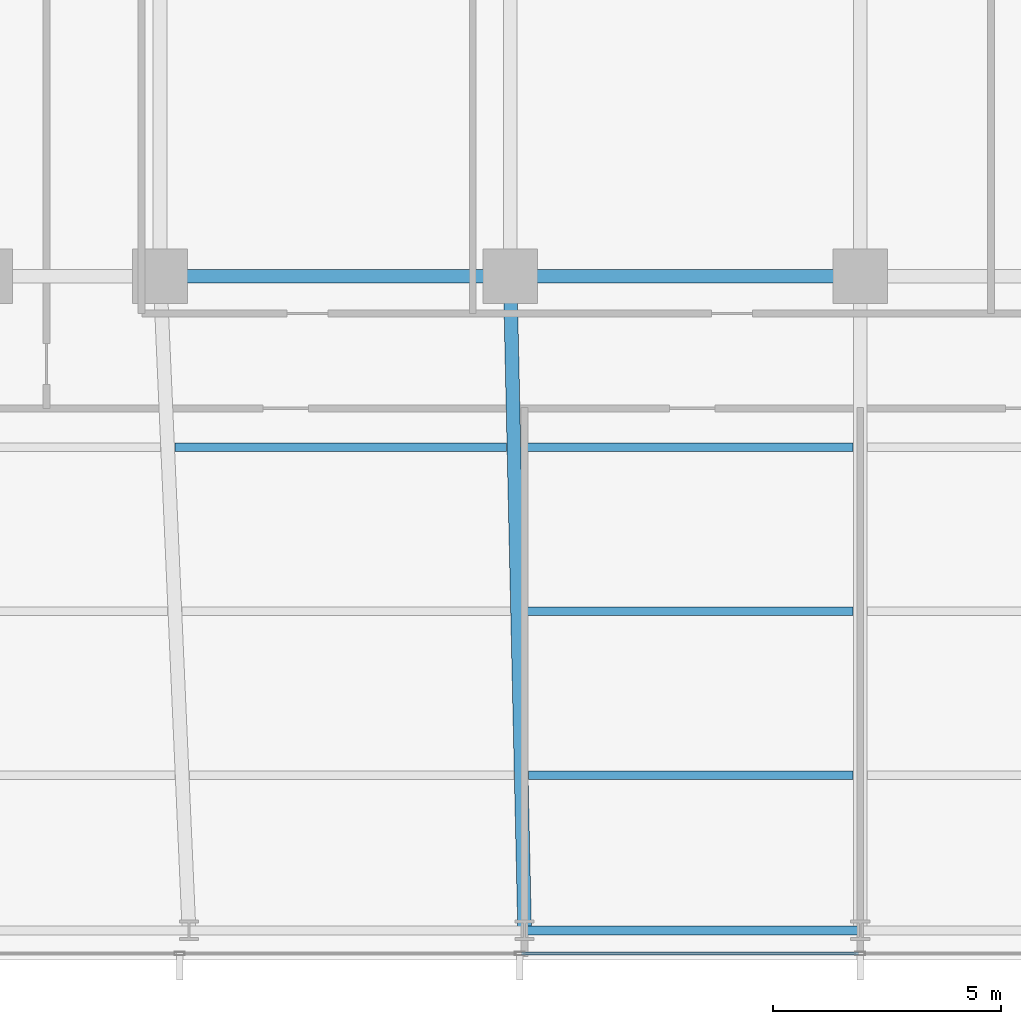
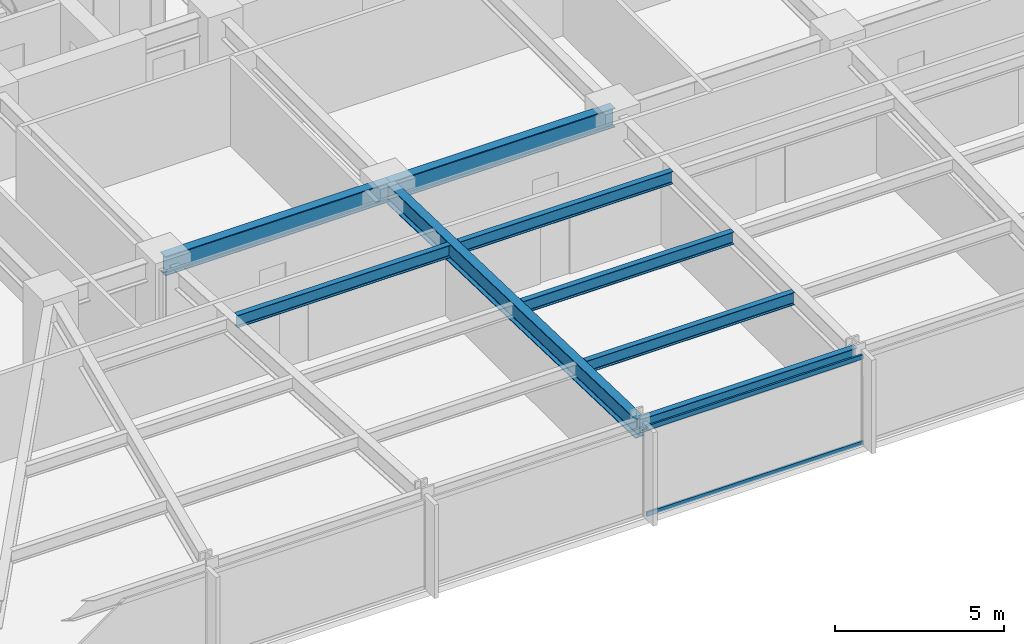
# One storey, part 6 of 32: 8 beams, 2 members, 1 element without a shape of its own.
"""IFC4 building model written with IfcOpenShell, lengths in metres."""

from ifc_helpers import new_model, si_unit, direction, frame, origin, origin_2d, place, context, subcontext, project, spatial, hollow_rectangle, i_section, extrude, material, material_profile, profile_set, type_object, element, aggregate, save


model = new_model("IFC4")

# Units and contexts
model_context = context("Model", 3, precision=1e-05, world=origin(), true_north=direction((0.0, 1.0)))
body_context = subcontext(model_context, "Body", "Model", "MODEL_VIEW")
ifc_project = project(units=[si_unit("LENGTHUNIT", "METRE"), si_unit("AREAUNIT", "SQUARE_METRE"), si_unit("VOLUMEUNIT", "CUBIC_METRE"), si_unit("PLANEANGLEUNIT", "RADIAN"), si_unit("MASSUNIT", "GRAM", prefix="KILO")], contexts=[model_context])

# Site, building, storey
site_placement = place(None, origin())
site = spatial("IfcSite", under=ifc_project, at=site_placement, CompositionType="ELEMENT")
building_placement = place(site_placement, origin())
building = spatial("IfcBuilding", under=site, at=building_placement, Name="Yelkora Congress Tower", CompositionType="ELEMENT")
storey_placement = place(building_placement, frame((0.0, 0.0, 50.800048828125)))
storey = spatial("IfcBuildingStorey", under=building, at=storey_placement, Name="L12", CompositionType="ELEMENT", Elevation=50.800048828125)

# Beams
ifc_material_1 = material(Name="Steel S355J2", Category="steel")
ifc_material_profile_1 = material_profile(ifc_material_1, i_section(OverallWidth=0.300048828125, OverallDepth=0.699951171875, WebThickness=0.01708984375, FlangeThickness=0.031982421875, FilletRadius=0.027099609375, at=origin_2d()), Name="HEB 700")
ifc_profile_set_1 = profile_set([ifc_material_profile_1], Name="Steel S355J2")
beam_type_1 = type_object("IfcBeamType", Name="BM-GIRD-HEB700", PredefinedType="BEAM", material=ifc_profile_set_1)
for number, where, z_axis, x_axis, name in (
    (1, (23.0400390625, 25.199951171875, 2.829833984375), (1.0, 0.0, 0.0), (0.0, 1.0, 0.0), "L12 Spine Grid D Girder 2"),
    (2, (30.719970703125, 25.199951171875, 2.829833984375), (1.0, 0.0, 0.0), (0.0, 1.0, 0.0), "L12 Spine Grid D Girder 3"),
):
    element("IfcBeam", number, at=place(storey_placement, frame(where, z_axis=z_axis, x_axis=x_axis)), inside=storey, type_object=beam_type_1, Name=name, PredefinedType="BEAM", context=body_context, shape_type="SweptSolid", body=[
        extrude(i_section(OverallWidth=0.300048828125, OverallDepth=0.699951171875, WebThickness=0.01708984375, FlangeThickness=0.031982421875, FilletRadius=0.027099609375, at=origin_2d()), origin(), (0.0, 0.0, 1.0), 7.679931640625),
    ])
beam_1_placement = place(storey_placement, frame((31.03759765625, 10.85009765625, 2.829833984375), z_axis=(-0.022129088136, 0.999755121746, 0.0), x_axis=(-0.999755121746, -0.022129088136, 0.0)))
element("IfcBeam", 3, at=beam_1_placement, inside=storey, type_object=beam_type_1, Name="L12 Primary Frame Girder S04", PredefinedType="BEAM", context=body_context, shape_type="SweptSolid", body=[
    extrude(i_section(OverallWidth=0.300048828125, OverallDepth=0.699951171875, WebThickness=0.01708984375, FlangeThickness=0.031982421875, FilletRadius=0.027099609375, at=origin_2d()), origin(), (0.0, 0.0, 1.0), 14.353271484375),
])
ifc_material_profile_2 = material_profile(ifc_material_1, i_section(OverallWidth=0.18994140625, OverallDepth=0.449951171875, WebThickness=0.009521484375, FlangeThickness=0.0146484375, FilletRadius=0.02099609375, at=origin_2d()), Name="IPE 450")
ifc_profile_set_2 = profile_set([ifc_material_profile_2], Name="Steel S355J2")
beam_type_2 = type_object("IfcBeamType", Name="BM-JOIST-IPE450", PredefinedType="JOIST", material=ifc_profile_set_2)
beam_2_placement = place(storey_placement, frame((31.122314453125, 14.25, 2.954833984375), z_axis=(1.0, 0.0, 0.0), x_axis=(0.0, 1.0, 0.0)))
element("IfcBeam", 4, at=beam_2_placement, inside=storey, type_object=beam_type_2, Name="L12 Composite Floor Joist 4", PredefinedType="JOIST", context=body_context, shape_type="SweptSolid", body=[
    extrude(i_section(OverallWidth=0.18994140625, OverallDepth=0.449951171875, WebThickness=0.009521484375, FlangeThickness=0.0146484375, FilletRadius=0.02099609375, at=origin_2d()), origin(), (0.0, 0.0, 1.0), 7.11767578125),
])
beam_3_placement = place(storey_placement, frame((31.04248046875, 17.85009765625, 2.954833984375), z_axis=(1.0, 0.0, 0.0), x_axis=(0.0, 1.0, 0.0)))
element("IfcBeam", 5, at=beam_3_placement, inside=storey, type_object=beam_type_2, Name="L12 Composite Floor Joist 12", PredefinedType="JOIST", context=body_context, shape_type="SweptSolid", body=[
    extrude(i_section(OverallWidth=0.18994140625, OverallDepth=0.449951171875, WebThickness=0.009521484375, FlangeThickness=0.0146484375, FilletRadius=0.02099609375, at=origin_2d()), origin(), (0.0, 0.0, 1.0), 7.197509765625),
])
for number, where, z_axis, x_axis, name in (
    (6, (23.365966796875, 21.449951171875, 2.954833984375), (1.0, 0.0, 0.0), (0.0, 1.0, 0.0), "L12 Composite Floor Joist 18"),
    (7, (30.962890625, 21.449951171875, 2.954833984375), (1.0, 0.0, 0.0), (0.0, 1.0, 0.0), "L12 Composite Floor Joist 19"),
):
    element("IfcBeam", number, at=place(storey_placement, frame(where, z_axis=z_axis, x_axis=x_axis)), inside=storey, type_object=beam_type_2, Name=name, PredefinedType="JOIST", context=body_context, shape_type="SweptSolid", body=[
        extrude(i_section(OverallWidth=0.18994140625, OverallDepth=0.449951171875, WebThickness=0.009521484375, FlangeThickness=0.0146484375, FilletRadius=0.02099609375, at=origin_2d()), origin(), (0.0, 0.0, 1.0), 7.277099609375),
    ])
ifc_material_profile_3 = material_profile(ifc_material_1, i_section(OverallWidth=0.199951171875, OverallDepth=0.5, WebThickness=0.01025390625, FlangeThickness=0.01611328125, FilletRadius=0.02099609375, at=origin_2d()), Name="IPE 500")
ifc_profile_set_3 = profile_set([ifc_material_profile_3], Name="Steel S355J2")
beam_type_3 = type_object("IfcBeamType", Name="BM-SPAN-IPE500", PredefinedType="SPANDREL", material=ifc_profile_set_3)
beam_4_placement = place(storey_placement, frame((31.03759765625, 10.85009765625, 2.929931640625), z_axis=(1.0, 0.0, 0.0), x_axis=(0.0, 1.0, 0.0)))
element("IfcBeam", 8, at=beam_4_placement, inside=storey, type_object=beam_type_3, Name="L12 Perimeter Beam 5", PredefinedType="SPANDREL", context=body_context, shape_type="SweptSolid", body=[
    extrude(i_section(OverallWidth=0.199951171875, OverallDepth=0.5, WebThickness=0.01025390625, FlangeThickness=0.01611328125, FilletRadius=0.02099609375, at=origin_2d()), origin(), (0.0, 0.0, 1.0), 7.3623046875),
])

# Curtain wall, members
ifc_material_2 = material(Name="Anodised aluminium and insulated glass", Category="aluminium")
curtain_wall_type = type_object("IfcCurtainWallType", Name="CW-SYS-B1", PredefinedType="NOTDEFINED", material=ifc_material_2)
curtain_wall_placement = place(storey_placement, origin())
curtain_wall = element("IfcCurtainWall", 9, at=curtain_wall_placement, inside=storey, type_object=curtain_wall_type, Name="L12 Unitised Curtain Wall 20", PredefinedType="NOTDEFINED")
ifc_material_3 = material(Name="Anodised aluminium 6063-T6", Category="aluminium")
ifc_material_profile_4 = material_profile(ifc_material_3, hollow_rectangle(XDim=0.06494140625, YDim=0.159912109375, WallThickness=0.00390625, at=origin_2d()), Name="ALU 65x160x4")
ifc_profile_set_4 = profile_set([ifc_material_profile_4], Name="Anodised aluminium 6063-T6")
member_type = type_object("IfcMemberType", Name="MEM-TR-B1", PredefinedType="USERDEFINED", material=ifc_profile_set_4)
member_1_placement = place(storey_placement, frame((38.362548828125, 10.340087890625, 0.032470703125), z_axis=(-1.0, 0.0, 0.0), x_axis=(0.0, -1.0, 0.0)))
member_1 = element("IfcMember", 10, at=member_1_placement, type_object=member_type, Name="CW-B1 transom 5.1", ObjectType="TRANSOM", PredefinedType="USERDEFINED", context=body_context, shape_type="SweptSolid", body=[
    extrude(hollow_rectangle(XDim=0.06494140625, YDim=0.159912109375, WallThickness=0.00390625, at=origin_2d()), origin(), (0.0, 0.0, 1.0), 7.39013671875),
])
member_2_placement = place(storey_placement, frame((38.362548828125, 10.340087890625, 3.1474609375), z_axis=(-1.0, 0.0, 0.0), x_axis=(0.0, -1.0, 0.0)))
member_2 = element("IfcMember", 11, at=member_2_placement, type_object=member_type, Name="CW-B1 transom 5.2", ObjectType="TRANSOM", PredefinedType="USERDEFINED", context=body_context, shape_type="SweptSolid", body=[
    extrude(hollow_rectangle(XDim=0.06494140625, YDim=0.159912109375, WallThickness=0.00390625, at=origin_2d()), origin(), (0.0, 0.0, 1.0), 7.39013671875),
])
aggregate(curtain_wall, [member_1, member_2])

save(model, "model.ifc")
